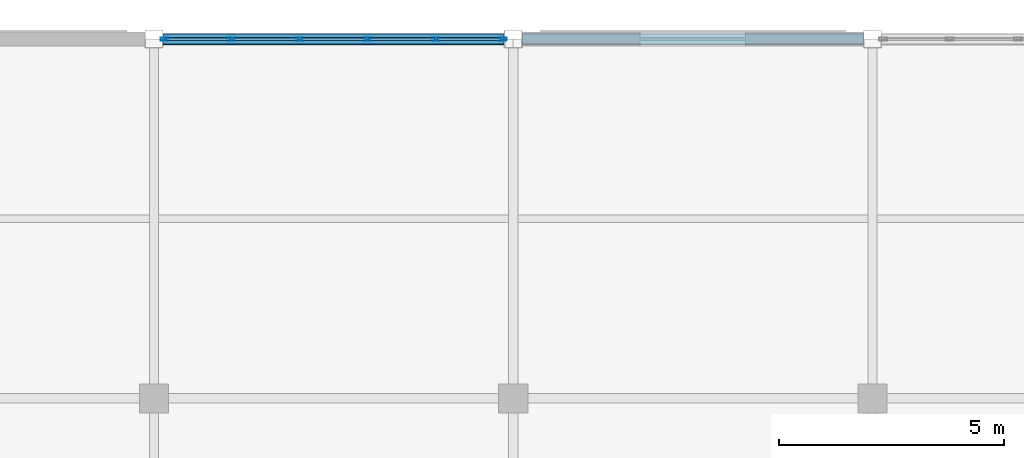
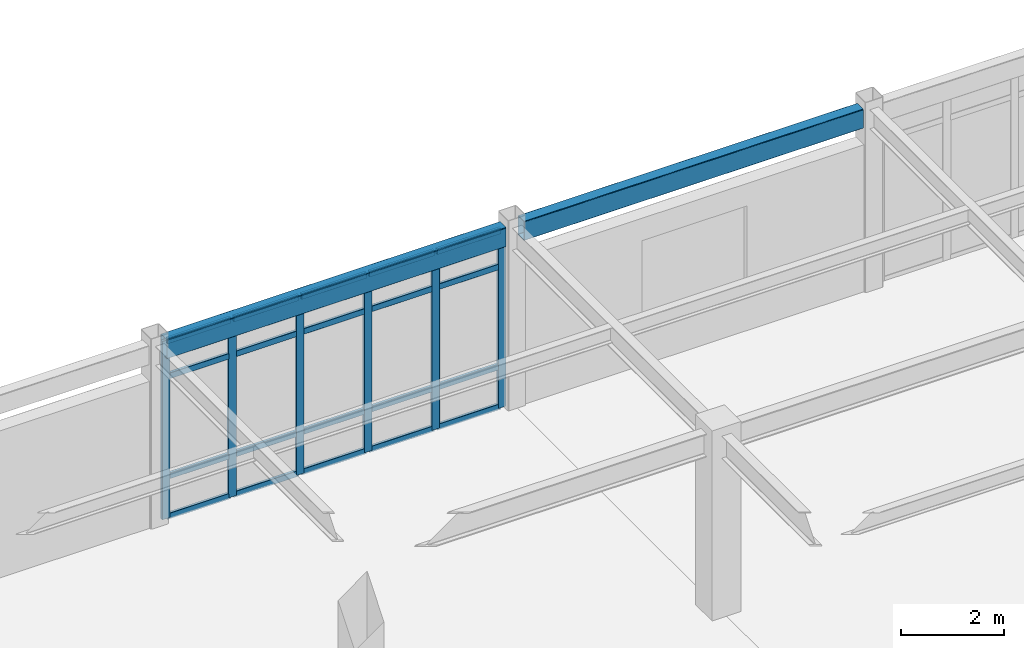
# One storey, part 51 of 111: 26 members, 2 beams, 1 element without a shape of its own.
"""IFC4 building model written with IfcOpenShell, lengths in metres."""

from ifc_helpers import new_model, si_unit, direction, frame, origin, origin_2d, place, context, subcontext, project, spatial, hollow_rectangle, extrude, material, material_profile, profile_set, type_object, element, aggregate, save


model = new_model("IFC4")

# Units and contexts
model_context = context("Model", 3, precision=1e-05, world=origin(), true_north=direction((0.0, 1.0)))
body_context = subcontext(model_context, "Body", "Model", "MODEL_VIEW")
ifc_project = project(units=[si_unit("LENGTHUNIT", "METRE"), si_unit("AREAUNIT", "SQUARE_METRE"), si_unit("VOLUMEUNIT", "CUBIC_METRE"), si_unit("PLANEANGLEUNIT", "RADIAN"), si_unit("MASSUNIT", "GRAM", prefix="KILO")], contexts=[model_context])

# Site, building, storey
site_placement = place(None, origin())
site = spatial("IfcSite", under=ifc_project, at=site_placement, CompositionType="ELEMENT")
building_placement = place(site_placement, origin())
building = spatial("IfcBuilding", under=site, at=building_placement, Name="Solmirada Galleria", CompositionType="ELEMENT")
storey_placement = place(building_placement, frame((0.0, 0.0, 10.39990234375)))
storey = spatial("IfcBuildingStorey", under=building, at=storey_placement, Name="L02", CompositionType="ELEMENT", Elevation=10.39990234375)

# Beams
ifc_material_1 = material(Name="Steel S355 / ASTM A500 Grade C", Category="steel")
ifc_material_profile_1 = material_profile(ifc_material_1, hollow_rectangle(XDim=0.25390625, YDim=0.45703125, WallThickness=0.01171875, InnerFilletRadius=0.01171875, OuterFilletRadius=0.023681640625, at=origin_2d()), Name="HSS18X10X1/2")
ifc_profile_set_1 = profile_set([ifc_material_profile_1], Name="Steel S355 / ASTM A500 Grade C")
beam_type = type_object("IfcBeamType", Name="BM-SPAND-W18", PredefinedType="SPANDREL", material=ifc_profile_set_1)
for number, where, z_axis, x_axis, name in (
    (1, (72.202880859375, 120.0, 4.071533203125), (1.0, 0.0, 0.0), (0.0, 1.0, 0.0), "Primary beam L03 X(72..80, 120)"),
    (2, (80.202880859375, 120.0, 4.071533203125), (1.0, 0.0, 0.0), (0.0, 1.0, 0.0), "Primary beam L03 X(80..88, 120)"),
):
    element("IfcBeam", number, at=place(storey_placement, frame(where, z_axis=z_axis, x_axis=x_axis)), inside=storey, type_object=beam_type, Name=name, PredefinedType="SPANDREL", context=body_context, shape_type="SweptSolid", body=[
        extrude(hollow_rectangle(XDim=0.25390625, YDim=0.45703125, WallThickness=0.01171875, InnerFilletRadius=0.01171875, OuterFilletRadius=0.023681640625, at=origin_2d()), origin(), (0.0, 0.0, 1.0), 7.59423828125),
    ])

# Curtain wall, members
ifc_material_2 = material(Name="Impact-resistant low-E double glazing", Category="glass")
curtain_wall_type = type_object("IfcCurtainWallType", Name="CW-FZ4-L02-B5-L076", PredefinedType="NOTDEFINED", material=ifc_material_2)
curtain_wall_placement = place(storey_placement, origin())
curtain_wall = element("IfcCurtainWall", 3, at=curtain_wall_placement, inside=storey, type_object=curtain_wall_type, Name="Terrace and arcade storefront CW-L02-093", PredefinedType="NOTDEFINED")
ifc_material_3 = material(Name="Anodised aluminium framing", Category="aluminium")
ifc_material_profile_2 = material_profile(ifc_material_3, hollow_rectangle(XDim=0.06494140625, YDim=0.179931640625, WallThickness=0.00390625, InnerFilletRadius=0.00390625, OuterFilletRadius=0.008056640625, at=origin_2d()), Name="ALU-MULL-180X65")
ifc_profile_set_2 = profile_set([ifc_material_profile_2], Name="Anodised aluminium framing")
member_type_1 = type_object("IfcMemberType", Name="CW-MULL-180", PredefinedType="MULLION", material=ifc_profile_set_2)
member_1_placement = place(storey_placement, frame((72.237548828125, 120.0, 0.0), z_axis=(0.0, 0.0, 1.0), x_axis=(0.0, 1.0, 0.0)))
member_1 = element("IfcMember", 4, at=member_1_placement, type_object=member_type_1, Name="CW23 mullion 1", PredefinedType="MULLION", context=body_context, shape_type="SweptSolid", body=[
    extrude(hollow_rectangle(XDim=0.06494140625, YDim=0.179931640625, WallThickness=0.00390625, InnerFilletRadius=0.00390625, OuterFilletRadius=0.008056640625, at=origin_2d()), origin(), (0.0, 0.0, 1.0), 4.22021484375),
])
member_2_placement = place(storey_placement, frame((73.722900390625, 120.0, 0.0), z_axis=(0.0, 0.0, 1.0), x_axis=(0.0, 1.0, 0.0)))
member_2 = element("IfcMember", 5, at=member_2_placement, type_object=member_type_1, Name="CW23 mullion 2", PredefinedType="MULLION", context=body_context, shape_type="SweptSolid", body=[
    extrude(hollow_rectangle(XDim=0.06494140625, YDim=0.179931640625, WallThickness=0.00390625, InnerFilletRadius=0.00390625, OuterFilletRadius=0.008056640625, at=origin_2d()), origin(), (0.0, 0.0, 1.0), 4.22021484375),
])
member_3_placement = place(storey_placement, frame((75.240966796875, 120.0, 0.0), z_axis=(0.0, 0.0, 1.0), x_axis=(0.0, 1.0, 0.0)))
member_3 = element("IfcMember", 6, at=member_3_placement, type_object=member_type_1, Name="CW23 mullion 3", PredefinedType="MULLION", context=body_context, shape_type="SweptSolid", body=[
    extrude(hollow_rectangle(XDim=0.06494140625, YDim=0.179931640625, WallThickness=0.00390625, InnerFilletRadius=0.00390625, OuterFilletRadius=0.008056640625, at=origin_2d()), origin(), (0.0, 0.0, 1.0), 4.22021484375),
])
member_4_placement = place(storey_placement, frame((76.759033203125, 120.0, 0.0), z_axis=(0.0, 0.0, 1.0), x_axis=(0.0, 1.0, 0.0)))
member_4 = element("IfcMember", 7, at=member_4_placement, type_object=member_type_1, Name="CW23 mullion 4", PredefinedType="MULLION", context=body_context, shape_type="SweptSolid", body=[
    extrude(hollow_rectangle(XDim=0.06494140625, YDim=0.179931640625, WallThickness=0.00390625, InnerFilletRadius=0.00390625, OuterFilletRadius=0.008056640625, at=origin_2d()), origin(), (0.0, 0.0, 1.0), 4.22021484375),
])
member_5_placement = place(storey_placement, frame((78.277099609375, 120.0, 0.0), z_axis=(0.0, 0.0, 1.0), x_axis=(0.0, 1.0, 0.0)))
member_5 = element("IfcMember", 8, at=member_5_placement, type_object=member_type_1, Name="CW23 mullion 5", PredefinedType="MULLION", context=body_context, shape_type="SweptSolid", body=[
    extrude(hollow_rectangle(XDim=0.06494140625, YDim=0.179931640625, WallThickness=0.00390625, InnerFilletRadius=0.00390625, OuterFilletRadius=0.008056640625, at=origin_2d()), origin(), (0.0, 0.0, 1.0), 4.22021484375),
])
member_6_placement = place(storey_placement, frame((79.762451171875, 120.0, 0.0), z_axis=(0.0, 0.0, 1.0), x_axis=(0.0, 1.0, 0.0)))
member_6 = element("IfcMember", 9, at=member_6_placement, type_object=member_type_1, Name="CW23 mullion 6", PredefinedType="MULLION", context=body_context, shape_type="SweptSolid", body=[
    extrude(hollow_rectangle(XDim=0.06494140625, YDim=0.179931640625, WallThickness=0.00390625, InnerFilletRadius=0.00390625, OuterFilletRadius=0.008056640625, at=origin_2d()), origin(), (0.0, 0.0, 1.0), 4.22021484375),
])
ifc_material_profile_3 = material_profile(ifc_material_3, hollow_rectangle(XDim=0.06494140625, YDim=0.139892578125, WallThickness=0.00341796875, InnerFilletRadius=0.00341796875, OuterFilletRadius=0.007080078125, at=origin_2d()), Name="ALU-TRAN-140X65")
ifc_profile_set_3 = profile_set([ifc_material_profile_3], Name="Anodised aluminium framing")
member_type_2 = type_object("IfcMemberType", Name="CW-TRAN-140", PredefinedType="USERDEFINED", material=ifc_profile_set_3)
member_7_placement = place(storey_placement, frame((72.27001953125, 120.0, 0.03271484375), z_axis=(1.0, 0.0, 0.0), x_axis=(0.0, 1.0, 0.0)))
member_7 = element("IfcMember", 10, at=member_7_placement, type_object=member_type_2, Name="CW23 transom 1.1", ObjectType="TRANSOM", PredefinedType="USERDEFINED", context=body_context, shape_type="SweptSolid", body=[
    extrude(hollow_rectangle(XDim=0.06494140625, YDim=0.139892578125, WallThickness=0.00341796875, InnerFilletRadius=0.00341796875, OuterFilletRadius=0.007080078125, at=origin_2d()), origin(), (0.0, 0.0, 1.0), 1.42041015625),
])
member_8_placement = place(storey_placement, frame((72.27001953125, 120.0, 0.97998046875), z_axis=(1.0, 0.0, 0.0), x_axis=(0.0, 1.0, 0.0)))
member_8 = element("IfcMember", 11, at=member_8_placement, type_object=member_type_2, Name="CW23 transom 1.2", ObjectType="TRANSOM", PredefinedType="USERDEFINED", context=body_context, shape_type="SweptSolid", body=[
    extrude(hollow_rectangle(XDim=0.06494140625, YDim=0.139892578125, WallThickness=0.00341796875, InnerFilletRadius=0.00341796875, OuterFilletRadius=0.007080078125, at=origin_2d()), origin(), (0.0, 0.0, 1.0), 1.42041015625),
])
member_9_placement = place(storey_placement, frame((72.27001953125, 120.0, 3.35009765625), z_axis=(1.0, 0.0, 0.0), x_axis=(0.0, 1.0, 0.0)))
member_9 = element("IfcMember", 12, at=member_9_placement, type_object=member_type_2, Name="CW23 transom 1.3", ObjectType="TRANSOM", PredefinedType="USERDEFINED", context=body_context, shape_type="SweptSolid", body=[
    extrude(hollow_rectangle(XDim=0.06494140625, YDim=0.139892578125, WallThickness=0.00341796875, InnerFilletRadius=0.00341796875, OuterFilletRadius=0.007080078125, at=origin_2d()), origin(), (0.0, 0.0, 1.0), 1.42041015625),
])
member_10_placement = place(storey_placement, frame((72.27001953125, 120.0, 4.1875), z_axis=(1.0, 0.0, 0.0), x_axis=(0.0, 1.0, 0.0)))
member_10 = element("IfcMember", 13, at=member_10_placement, type_object=member_type_2, Name="CW23 transom 1.4", ObjectType="TRANSOM", PredefinedType="USERDEFINED", context=body_context, shape_type="SweptSolid", body=[
    extrude(hollow_rectangle(XDim=0.06494140625, YDim=0.139892578125, WallThickness=0.00341796875, InnerFilletRadius=0.00341796875, OuterFilletRadius=0.007080078125, at=origin_2d()), origin(), (0.0, 0.0, 1.0), 1.42041015625),
])
member_11_placement = place(storey_placement, frame((73.755615234375, 120.0, 0.03271484375), z_axis=(1.0, 0.0, 0.0), x_axis=(0.0, 1.0, 0.0)))
member_11 = element("IfcMember", 14, at=member_11_placement, type_object=member_type_2, Name="CW23 transom 2.1", ObjectType="TRANSOM", PredefinedType="USERDEFINED", context=body_context, shape_type="SweptSolid", body=[
    extrude(hollow_rectangle(XDim=0.06494140625, YDim=0.139892578125, WallThickness=0.00341796875, InnerFilletRadius=0.00341796875, OuterFilletRadius=0.007080078125, at=origin_2d()), origin(), (0.0, 0.0, 1.0), 1.452880859375),
])
member_12_placement = place(storey_placement, frame((73.755615234375, 120.0, 0.97998046875), z_axis=(1.0, 0.0, 0.0), x_axis=(0.0, 1.0, 0.0)))
member_12 = element("IfcMember", 15, at=member_12_placement, type_object=member_type_2, Name="CW23 transom 2.2", ObjectType="TRANSOM", PredefinedType="USERDEFINED", context=body_context, shape_type="SweptSolid", body=[
    extrude(hollow_rectangle(XDim=0.06494140625, YDim=0.139892578125, WallThickness=0.00341796875, InnerFilletRadius=0.00341796875, OuterFilletRadius=0.007080078125, at=origin_2d()), origin(), (0.0, 0.0, 1.0), 1.452880859375),
])
member_13_placement = place(storey_placement, frame((73.755615234375, 120.0, 3.35009765625), z_axis=(1.0, 0.0, 0.0), x_axis=(0.0, 1.0, 0.0)))
member_13 = element("IfcMember", 16, at=member_13_placement, type_object=member_type_2, Name="CW23 transom 2.3", ObjectType="TRANSOM", PredefinedType="USERDEFINED", context=body_context, shape_type="SweptSolid", body=[
    extrude(hollow_rectangle(XDim=0.06494140625, YDim=0.139892578125, WallThickness=0.00341796875, InnerFilletRadius=0.00341796875, OuterFilletRadius=0.007080078125, at=origin_2d()), origin(), (0.0, 0.0, 1.0), 1.452880859375),
])
member_14_placement = place(storey_placement, frame((73.755615234375, 120.0, 4.1875), z_axis=(1.0, 0.0, 0.0), x_axis=(0.0, 1.0, 0.0)))
member_14 = element("IfcMember", 17, at=member_14_placement, type_object=member_type_2, Name="CW23 transom 2.4", ObjectType="TRANSOM", PredefinedType="USERDEFINED", context=body_context, shape_type="SweptSolid", body=[
    extrude(hollow_rectangle(XDim=0.06494140625, YDim=0.139892578125, WallThickness=0.00341796875, InnerFilletRadius=0.00341796875, OuterFilletRadius=0.007080078125, at=origin_2d()), origin(), (0.0, 0.0, 1.0), 1.452880859375),
])
member_15_placement = place(storey_placement, frame((75.2734375, 120.0, 0.03271484375), z_axis=(1.0, 0.0, 0.0), x_axis=(0.0, 1.0, 0.0)))
member_15 = element("IfcMember", 18, at=member_15_placement, type_object=member_type_2, Name="CW23 transom 3.1", ObjectType="TRANSOM", PredefinedType="USERDEFINED", context=body_context, shape_type="SweptSolid", body=[
    extrude(hollow_rectangle(XDim=0.06494140625, YDim=0.139892578125, WallThickness=0.00341796875, InnerFilletRadius=0.00341796875, OuterFilletRadius=0.007080078125, at=origin_2d()), origin(), (0.0, 0.0, 1.0), 1.453125),
])
member_16_placement = place(storey_placement, frame((75.2734375, 120.0, 0.97998046875), z_axis=(1.0, 0.0, 0.0), x_axis=(0.0, 1.0, 0.0)))
member_16 = element("IfcMember", 19, at=member_16_placement, type_object=member_type_2, Name="CW23 transom 3.2", ObjectType="TRANSOM", PredefinedType="USERDEFINED", context=body_context, shape_type="SweptSolid", body=[
    extrude(hollow_rectangle(XDim=0.06494140625, YDim=0.139892578125, WallThickness=0.00341796875, InnerFilletRadius=0.00341796875, OuterFilletRadius=0.007080078125, at=origin_2d()), origin(), (0.0, 0.0, 1.0), 1.453125),
])
member_17_placement = place(storey_placement, frame((75.2734375, 120.0, 3.35009765625), z_axis=(1.0, 0.0, 0.0), x_axis=(0.0, 1.0, 0.0)))
member_17 = element("IfcMember", 20, at=member_17_placement, type_object=member_type_2, Name="CW23 transom 3.3", ObjectType="TRANSOM", PredefinedType="USERDEFINED", context=body_context, shape_type="SweptSolid", body=[
    extrude(hollow_rectangle(XDim=0.06494140625, YDim=0.139892578125, WallThickness=0.00341796875, InnerFilletRadius=0.00341796875, OuterFilletRadius=0.007080078125, at=origin_2d()), origin(), (0.0, 0.0, 1.0), 1.453125),
])
member_18_placement = place(storey_placement, frame((75.2734375, 120.0, 4.1875), z_axis=(1.0, 0.0, 0.0), x_axis=(0.0, 1.0, 0.0)))
member_18 = element("IfcMember", 21, at=member_18_placement, type_object=member_type_2, Name="CW23 transom 3.4", ObjectType="TRANSOM", PredefinedType="USERDEFINED", context=body_context, shape_type="SweptSolid", body=[
    extrude(hollow_rectangle(XDim=0.06494140625, YDim=0.139892578125, WallThickness=0.00341796875, InnerFilletRadius=0.00341796875, OuterFilletRadius=0.007080078125, at=origin_2d()), origin(), (0.0, 0.0, 1.0), 1.453125),
])
member_19_placement = place(storey_placement, frame((76.79150390625, 120.0, 0.03271484375), z_axis=(1.0, 0.0, 0.0), x_axis=(0.0, 1.0, 0.0)))
member_19 = element("IfcMember", 22, at=member_19_placement, type_object=member_type_2, Name="CW23 transom 4.1", ObjectType="TRANSOM", PredefinedType="USERDEFINED", context=body_context, shape_type="SweptSolid", body=[
    extrude(hollow_rectangle(XDim=0.06494140625, YDim=0.139892578125, WallThickness=0.00341796875, InnerFilletRadius=0.00341796875, OuterFilletRadius=0.007080078125, at=origin_2d()), origin(), (0.0, 0.0, 1.0), 1.452880859375),
])
member_20_placement = place(storey_placement, frame((76.79150390625, 120.0, 0.97998046875), z_axis=(1.0, 0.0, 0.0), x_axis=(0.0, 1.0, 0.0)))
member_20 = element("IfcMember", 23, at=member_20_placement, type_object=member_type_2, Name="CW23 transom 4.2", ObjectType="TRANSOM", PredefinedType="USERDEFINED", context=body_context, shape_type="SweptSolid", body=[
    extrude(hollow_rectangle(XDim=0.06494140625, YDim=0.139892578125, WallThickness=0.00341796875, InnerFilletRadius=0.00341796875, OuterFilletRadius=0.007080078125, at=origin_2d()), origin(), (0.0, 0.0, 1.0), 1.452880859375),
])
member_21_placement = place(storey_placement, frame((76.79150390625, 120.0, 3.35009765625), z_axis=(1.0, 0.0, 0.0), x_axis=(0.0, 1.0, 0.0)))
member_21 = element("IfcMember", 24, at=member_21_placement, type_object=member_type_2, Name="CW23 transom 4.3", ObjectType="TRANSOM", PredefinedType="USERDEFINED", context=body_context, shape_type="SweptSolid", body=[
    extrude(hollow_rectangle(XDim=0.06494140625, YDim=0.139892578125, WallThickness=0.00341796875, InnerFilletRadius=0.00341796875, OuterFilletRadius=0.007080078125, at=origin_2d()), origin(), (0.0, 0.0, 1.0), 1.452880859375),
])
member_22_placement = place(storey_placement, frame((76.79150390625, 120.0, 4.1875), z_axis=(1.0, 0.0, 0.0), x_axis=(0.0, 1.0, 0.0)))
member_22 = element("IfcMember", 25, at=member_22_placement, type_object=member_type_2, Name="CW23 transom 4.4", ObjectType="TRANSOM", PredefinedType="USERDEFINED", context=body_context, shape_type="SweptSolid", body=[
    extrude(hollow_rectangle(XDim=0.06494140625, YDim=0.139892578125, WallThickness=0.00341796875, InnerFilletRadius=0.00341796875, OuterFilletRadius=0.007080078125, at=origin_2d()), origin(), (0.0, 0.0, 1.0), 1.452880859375),
])
member_23_placement = place(storey_placement, frame((78.3095703125, 120.0, 0.03271484375), z_axis=(1.0, 0.0, 0.0), x_axis=(0.0, 1.0, 0.0)))
member_23 = element("IfcMember", 26, at=member_23_placement, type_object=member_type_2, Name="CW23 transom 5.1", ObjectType="TRANSOM", PredefinedType="USERDEFINED", context=body_context, shape_type="SweptSolid", body=[
    extrude(hollow_rectangle(XDim=0.06494140625, YDim=0.139892578125, WallThickness=0.00341796875, InnerFilletRadius=0.00341796875, OuterFilletRadius=0.007080078125, at=origin_2d()), origin(), (0.0, 0.0, 1.0), 1.42041015625),
])
member_24_placement = place(storey_placement, frame((78.3095703125, 120.0, 0.97998046875), z_axis=(1.0, 0.0, 0.0), x_axis=(0.0, 1.0, 0.0)))
member_24 = element("IfcMember", 27, at=member_24_placement, type_object=member_type_2, Name="CW23 transom 5.2", ObjectType="TRANSOM", PredefinedType="USERDEFINED", context=body_context, shape_type="SweptSolid", body=[
    extrude(hollow_rectangle(XDim=0.06494140625, YDim=0.139892578125, WallThickness=0.00341796875, InnerFilletRadius=0.00341796875, OuterFilletRadius=0.007080078125, at=origin_2d()), origin(), (0.0, 0.0, 1.0), 1.42041015625),
])
member_25_placement = place(storey_placement, frame((78.3095703125, 120.0, 3.35009765625), z_axis=(1.0, 0.0, 0.0), x_axis=(0.0, 1.0, 0.0)))
member_25 = element("IfcMember", 28, at=member_25_placement, type_object=member_type_2, Name="CW23 transom 5.3", ObjectType="TRANSOM", PredefinedType="USERDEFINED", context=body_context, shape_type="SweptSolid", body=[
    extrude(hollow_rectangle(XDim=0.06494140625, YDim=0.139892578125, WallThickness=0.00341796875, InnerFilletRadius=0.00341796875, OuterFilletRadius=0.007080078125, at=origin_2d()), origin(), (0.0, 0.0, 1.0), 1.42041015625),
])
member_26_placement = place(storey_placement, frame((78.3095703125, 120.0, 4.1875), z_axis=(1.0, 0.0, 0.0), x_axis=(0.0, 1.0, 0.0)))
member_26 = element("IfcMember", 29, at=member_26_placement, type_object=member_type_2, Name="CW23 transom 5.4", ObjectType="TRANSOM", PredefinedType="USERDEFINED", context=body_context, shape_type="SweptSolid", body=[
    extrude(hollow_rectangle(XDim=0.06494140625, YDim=0.139892578125, WallThickness=0.00341796875, InnerFilletRadius=0.00341796875, OuterFilletRadius=0.007080078125, at=origin_2d()), origin(), (0.0, 0.0, 1.0), 1.42041015625),
])
aggregate(curtain_wall, [member_1, member_2, member_3, member_4, member_5, member_6, member_7, member_8, member_9, member_10, member_11, member_12, member_13, member_14, member_15, member_16, member_17, member_18, member_19, member_20, member_21, member_22, member_23, member_24, member_25, member_26])

save(model, "model.ifc")
